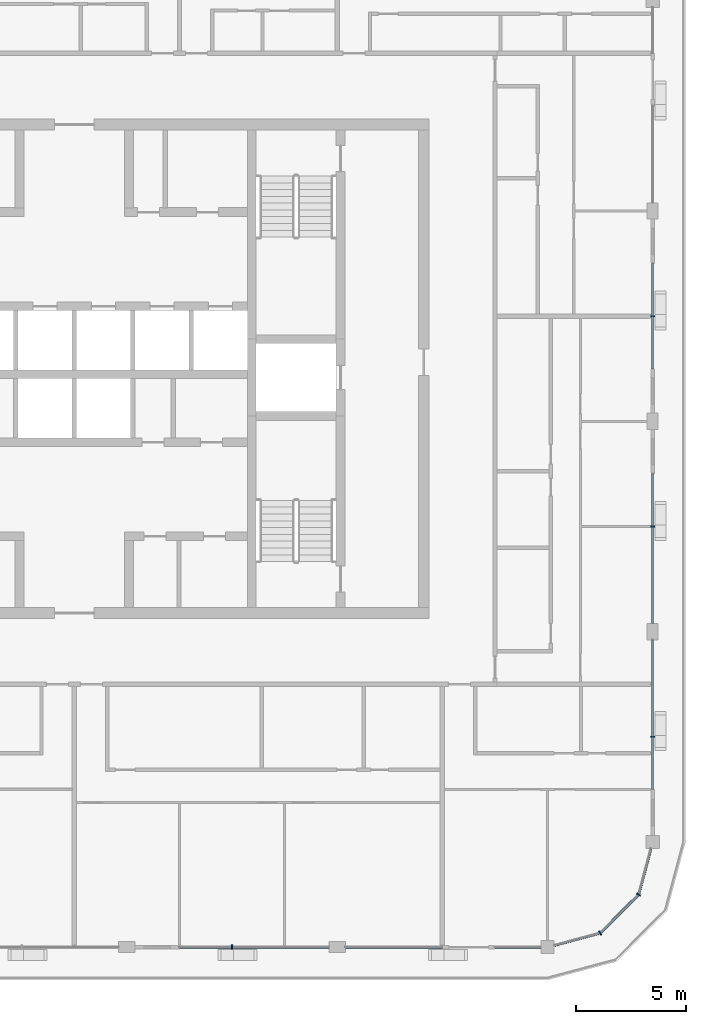
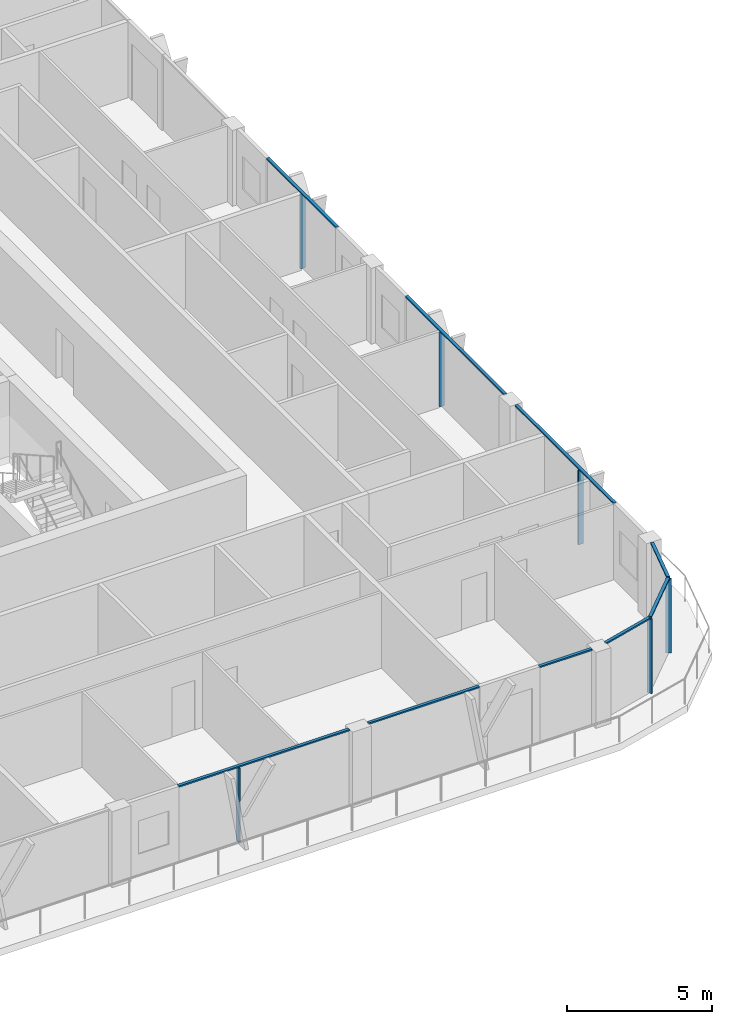
# One storey, part 4 of 21: 15 members, 6 elements without a shape of their own.
"""IFC4 building model written with IfcOpenShell, lengths in metres."""

from ifc_helpers import new_model, si_unit, direction, frame, origin, origin_2d, place, context, subcontext, project, spatial, rectangle, extrude, material, layer, layer_set, material_profile, profile_set, type_object, element, aggregate, save


model = new_model("IFC4")

# Units and contexts
model_context = context("Model", 3, precision=1e-05, world=origin(), true_north=direction((0.0, 1.0)))
body_context = subcontext(model_context, "Body", "Model", "MODEL_VIEW")
ifc_project = project(units=[si_unit("LENGTHUNIT", "METRE"), si_unit("AREAUNIT", "SQUARE_METRE"), si_unit("VOLUMEUNIT", "CUBIC_METRE"), si_unit("PLANEANGLEUNIT", "RADIAN"), si_unit("MASSUNIT", "GRAM", prefix="KILO")], contexts=[model_context])

# Site, building, storey
site_placement = place(None, origin())
site = spatial("IfcSite", under=ifc_project, at=site_placement, CompositionType="ELEMENT")
building_placement = place(site_placement, origin())
building = spatial("IfcBuilding", under=site, at=building_placement, Name="Madar Terraces", CompositionType="ELEMENT")
storey_placement = place(building_placement, frame((0.0, 0.0, 268.60009765625)))
storey = spatial("IfcBuildingStorey", under=building, at=storey_placement, Name="L70", CompositionType="ELEMENT", Elevation=268.60009765625)

# Curtain wall, member
ifc_material_1 = material(Name="Glass, ceramic frit dark grey, with black aluminium frame", Category="aluminium")
ifc_layer = layer(ifc_material_1, 0.199951171875)
ifc_layer_set = layer_set([ifc_layer], Name="Facade curtain wall, fritted glass")
curtain_wall_type = type_object("IfcCurtainWallType", Name="Facade curtain wall, fritted glass", PredefinedType="NOTDEFINED", material=ifc_layer_set)
curtain_wall_1_placement = place(storey_placement, origin())
curtain_wall_1 = element("IfcCurtainWall", 1, at=curtain_wall_1_placement, inside=storey, type_object=curtain_wall_type, Name="Outer skin curtain wall south bay 4", PredefinedType="NOTDEFINED")
ifc_material_2 = material(Name="Aluminium, black anodised", Category="aluminium")
ifc_material_profile_1 = material_profile(ifc_material_2, rectangle(XDim=0.199951171875, YDim=0.06005859375, at=origin_2d()), Name="Facade mullion 60x200")
ifc_profile_set_1 = profile_set([ifc_material_profile_1], Name="Aluminium, black anodised")
member_type_1 = type_object("IfcMemberType", Name="Facade mullion 60x200", PredefinedType="MULLION", material=ifc_profile_set_1)
member_1_placement = place(storey_placement, frame((38.39990234375, 0.0, 0.0), z_axis=(0.0, 0.0, 1.0), x_axis=(0.0, 1.0, 0.0)))
member_1 = element("IfcMember", 2, at=member_1_placement, type_object=member_type_1, Name="Mullion 1", PredefinedType="MULLION", context=body_context, shape_type="SweptSolid", body=[
    extrude(rectangle(XDim=0.199951171875, YDim=0.06005859375, at=origin_2d()), origin(), (0.0, 0.0, 1.0), 3.139892578125),
])

curtain_wall_2_placement = place(storey_placement, origin())
curtain_wall_2 = element("IfcCurtainWall", 3, at=curtain_wall_2_placement, inside=storey, type_object=curtain_wall_type, Name="Outer skin curtain wall east bay 1", PredefinedType="NOTDEFINED")
member_2_placement = place(storey_placement, frame((57.60009765625, 9.60009765625, 0.0), z_axis=(0.0, 0.0, 1.0), x_axis=(-1.0, 0.0, 0.0)))
member_2 = element("IfcMember", 4, at=member_2_placement, type_object=member_type_1, Name="Mullion 1", PredefinedType="MULLION", context=body_context, shape_type="SweptSolid", body=[
    extrude(rectangle(XDim=0.199951171875, YDim=0.06005859375, at=origin_2d()), origin(), (0.0, 0.0, 1.0), 3.139892578125),
])

curtain_wall_3_placement = place(storey_placement, origin())
curtain_wall_3 = element("IfcCurtainWall", 5, at=curtain_wall_3_placement, inside=storey, type_object=curtain_wall_type, Name="Outer skin curtain wall east bay 2", PredefinedType="NOTDEFINED")
member_3_placement = place(storey_placement, frame((57.60009765625, 19.199951171875, 0.0), z_axis=(0.0, 0.0, 1.0), x_axis=(-1.0, 0.0, 0.0)))
member_3 = element("IfcMember", 6, at=member_3_placement, type_object=member_type_1, Name="Mullion 1", PredefinedType="MULLION", context=body_context, shape_type="SweptSolid", body=[
    extrude(rectangle(XDim=0.199951171875, YDim=0.06005859375, at=origin_2d()), origin(), (0.0, 0.0, 1.0), 3.139892578125),
])

curtain_wall_4_placement = place(storey_placement, origin())
curtain_wall_4 = element("IfcCurtainWall", 7, at=curtain_wall_4_placement, inside=storey, type_object=curtain_wall_type, Name="Outer skin curtain wall east bay 3", PredefinedType="NOTDEFINED")
member_4_placement = place(storey_placement, frame((57.60009765625, 28.800048828125, 0.0), z_axis=(0.0, 0.0, 1.0), x_axis=(-1.0, 0.0, 0.0)))
member_4 = element("IfcMember", 8, at=member_4_placement, type_object=member_type_1, Name="Mullion 1", PredefinedType="MULLION", context=body_context, shape_type="SweptSolid", body=[
    extrude(rectangle(XDim=0.199951171875, YDim=0.06005859375, at=origin_2d()), origin(), (0.0, 0.0, 1.0), 3.139892578125),
])

# Curtain wall, members
curtain_wall_5_placement = place(storey_placement, origin())
curtain_wall_5 = element("IfcCurtainWall", 9, at=curtain_wall_5_placement, inside=storey, type_object=curtain_wall_type, Name="Outer skin curtain wall south-east corner", PredefinedType="NOTDEFINED")
member_5_placement = place(storey_placement, frame((55.199951171875, 0.64306640625, 0.0), z_axis=(0.0, 0.0, 1.0), x_axis=(-0.499999989586, 0.866025409797, 0.0)))
member_5 = element("IfcMember", 10, at=member_5_placement, type_object=member_type_1, Name="Mullion 1", PredefinedType="MULLION", context=body_context, shape_type="SweptSolid", body=[
    extrude(rectangle(XDim=0.199951171875, YDim=0.06005859375, at=origin_2d()), origin(), (0.0, 0.0, 1.0), 3.139892578125),
])
member_6_placement = place(storey_placement, frame((56.95703125, 2.39990234375, 0.0), z_axis=(0.0, 0.0, 1.0), x_axis=(-0.866025409797, 0.499999989586, 0.0)))
member_6 = element("IfcMember", 11, at=member_6_placement, type_object=member_type_1, Name="Mullion 2", PredefinedType="MULLION", context=body_context, shape_type="SweptSolid", body=[
    extrude(rectangle(XDim=0.199951171875, YDim=0.06005859375, at=origin_2d()), origin(), (0.0, 0.0, 1.0), 3.139892578125),
])

# Member
ifc_material_3 = material(Name="Aluminium, black anodised", Category="aluminium")
ifc_material_profile_2 = material_profile(ifc_material_3, rectangle(XDim=0.1201171875, YDim=0.06005859375, at=origin_2d()), Name="Facade transom 60x120")
ifc_profile_set_2 = profile_set([ifc_material_profile_2], Name="Aluminium, black anodised")
member_type_2 = type_object("IfcMemberType", Name="Facade transom 60x120", PredefinedType="USERDEFINED", material=ifc_profile_set_2)
member_7_placement = place(storey_placement, frame((36.0, 0.0, 3.169921875), z_axis=(1.0, 0.0, 0.0), x_axis=(0.0, 1.0, 0.0)))
member_7 = element("IfcMember", 12, at=member_7_placement, type_object=member_type_2, Name="Transom 1", ObjectType="TRANSOM", PredefinedType="USERDEFINED", context=body_context, shape_type="SweptSolid", body=[
    extrude(rectangle(XDim=0.1201171875, YDim=0.06005859375, at=origin_2d()), origin(), (0.0, 0.0, 1.0), 6.824951171875),
])

aggregate(curtain_wall_1, [member_1, member_7])

# Curtain wall, members
curtain_wall_6_placement = place(storey_placement, origin())
curtain_wall_6 = element("IfcCurtainWall", 13, at=curtain_wall_6_placement, inside=storey, type_object=curtain_wall_type, Name="Outer skin curtain wall south bay 5", PredefinedType="NOTDEFINED")
member_8_placement = place(storey_placement, frame((43.574951171875, 0.0, 3.169921875), z_axis=(1.0, 0.0, 0.0), x_axis=(0.0, 1.0, 0.0)))
member_8 = element("IfcMember", 14, at=member_8_placement, type_object=member_type_2, Name="Transom 1", ObjectType="TRANSOM", PredefinedType="USERDEFINED", context=body_context, shape_type="SweptSolid", body=[
    extrude(rectangle(XDim=0.1201171875, YDim=0.06005859375, at=origin_2d()), origin(), (0.0, 0.0, 1.0), 4.425048828125),
])
member_9_placement = place(storey_placement, frame((50.39990234375, 0.0, 3.169921875), z_axis=(1.0, 0.0, 0.0), x_axis=(0.0, 1.0, 0.0)))
member_9 = element("IfcMember", 15, at=member_9_placement, type_object=member_type_2, Name="Transom 2", ObjectType="TRANSOM", PredefinedType="USERDEFINED", context=body_context, shape_type="SweptSolid", body=[
    extrude(rectangle(XDim=0.1201171875, YDim=0.06005859375, at=origin_2d()), origin(), (0.0, 0.0, 1.0), 2.10009765625),
])
aggregate(curtain_wall_6, [member_8, member_9])

# Member
member_10_placement = place(storey_placement, frame((57.60009765625, 7.199951171875, 3.169921875), z_axis=(0.0, 1.0, 0.0), x_axis=(-1.0, 0.0, 0.0)))
member_10 = element("IfcMember", 16, at=member_10_placement, type_object=member_type_2, Name="Transom 1", ObjectType="TRANSOM", PredefinedType="USERDEFINED", context=body_context, shape_type="SweptSolid", body=[
    extrude(rectangle(XDim=0.1201171875, YDim=0.06005859375, at=origin_2d()), origin(), (0.0, 0.0, 1.0), 6.824951171875),
])

aggregate(curtain_wall_2, [member_2, member_10])

member_11_placement = place(storey_placement, frame((57.60009765625, 14.77490234375, 3.169921875), z_axis=(0.0, 1.0, 0.0), x_axis=(-1.0, 0.0, 0.0)))
member_11 = element("IfcMember", 17, at=member_11_placement, type_object=member_type_2, Name="Transom 1", ObjectType="TRANSOM", PredefinedType="USERDEFINED", context=body_context, shape_type="SweptSolid", body=[
    extrude(rectangle(XDim=0.1201171875, YDim=0.06005859375, at=origin_2d()), origin(), (0.0, 0.0, 1.0), 6.8251953125),
])

aggregate(curtain_wall_3, [member_3, member_11])

member_12_placement = place(storey_placement, frame((57.60009765625, 26.39990234375, 3.169921875), z_axis=(0.0, 1.0, 0.0), x_axis=(-1.0, 0.0, 0.0)))
member_12 = element("IfcMember", 18, at=member_12_placement, type_object=member_type_2, Name="Transom 1", ObjectType="TRANSOM", PredefinedType="USERDEFINED", context=body_context, shape_type="SweptSolid", body=[
    extrude(rectangle(XDim=0.1201171875, YDim=0.06005859375, at=origin_2d()), origin(), (0.0, 0.0, 1.0), 4.800048828125),
])

aggregate(curtain_wall_4, [member_4, member_12])

member_13_placement = place(storey_placement, frame((53.10009765625, 0.080322265625, 3.169921875), z_axis=(0.965926196336, 0.258817664066, 0.0), x_axis=(-0.258817664066, 0.965926196336, 0.0)))
member_13 = element("IfcMember", 19, at=member_13_placement, type_object=member_type_2, Name="Transom 1", ObjectType="TRANSOM", PredefinedType="USERDEFINED", context=body_context, shape_type="SweptSolid", body=[
    extrude(rectangle(XDim=0.1201171875, YDim=0.06005859375, at=origin_2d()), origin(), (0.0, 0.0, 1.0), 2.14404296875),
])

member_14_placement = place(storey_placement, frame((55.22119140625, 0.664306640625, 3.169921875), z_axis=(0.707106781187, 0.707106781187, 0.0), x_axis=(-0.707106781187, 0.707106781187, 0.0)))
member_14 = element("IfcMember", 20, at=member_14_placement, type_object=member_type_2, Name="Transom 2", ObjectType="TRANSOM", PredefinedType="USERDEFINED", context=body_context, shape_type="SweptSolid", body=[
    extrude(rectangle(XDim=0.1201171875, YDim=0.06005859375, at=origin_2d()), origin(), (0.0, 0.0, 1.0), 2.4248046875),
])

member_15_placement = place(storey_placement, frame((56.964599609375, 2.428955078125, 3.169921875), z_axis=(0.258817664066, 0.965926196336, 0.0), x_axis=(-0.965926196336, 0.258817664066, 0.0)))
member_15 = element("IfcMember", 21, at=member_15_placement, type_object=member_type_2, Name="Transom 3", ObjectType="TRANSOM", PredefinedType="USERDEFINED", context=body_context, shape_type="SweptSolid", body=[
    extrude(rectangle(XDim=0.1201171875, YDim=0.06005859375, at=origin_2d()), origin(), (0.0, 0.0, 1.0), 2.14404296875),
])

aggregate(curtain_wall_5, [member_5, member_13, member_6, member_14, member_15])

save(model, "model.ifc")
